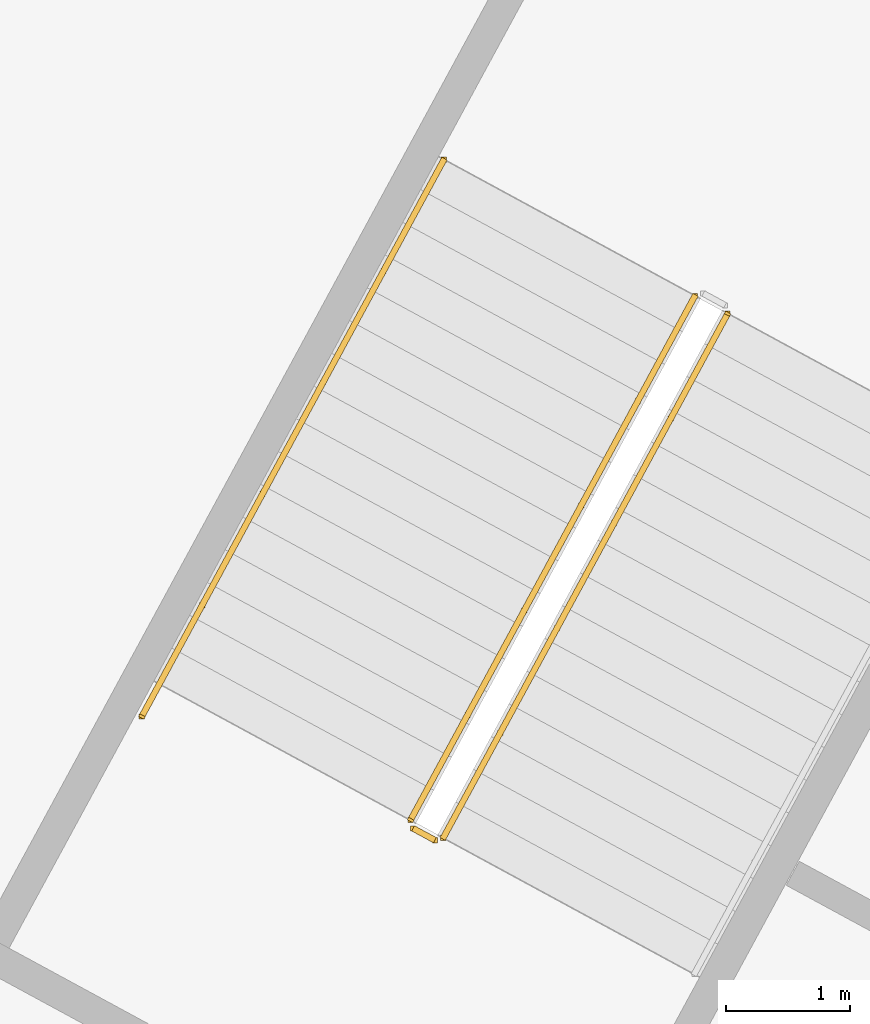
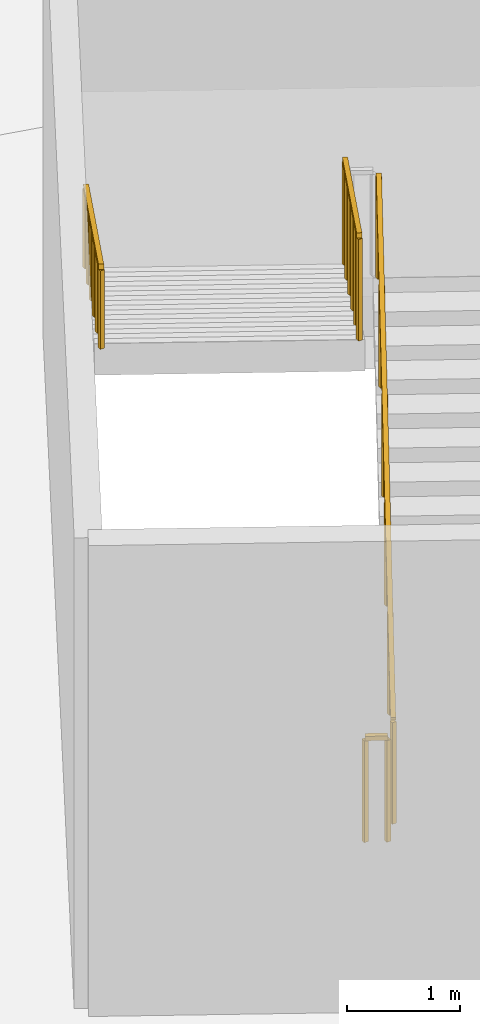
# One storey, part 71 of 82: 4 railings.
"""IFC4 building model written with IfcOpenShell, lengths in metres."""

from ifc_helpers import new_model, si_unit, direction, frame, origin, origin_2d, place, context, subcontext, project, spatial, rectangle, extrude, material, type_object, element, save


model = new_model("IFC4")

# Units and contexts
model_context = context("Model", 3, precision=1e-05, world=origin(), true_north=direction((0.0, 1.0)))
body_context = subcontext(model_context, "Body", "Model", "MODEL_VIEW")
ifc_project = project(units=[si_unit("LENGTHUNIT", "METRE"), si_unit("AREAUNIT", "SQUARE_METRE"), si_unit("VOLUMEUNIT", "CUBIC_METRE"), si_unit("PLANEANGLEUNIT", "RADIAN"), si_unit("MASSUNIT", "GRAM", prefix="KILO")], contexts=[model_context])

# Site, building, storey
site_placement = place(None, origin())
site = spatial("IfcSite", under=ifc_project, at=site_placement, CompositionType="ELEMENT")
building_placement = place(site_placement, origin())
building = spatial("IfcBuilding", under=site, at=building_placement, Name="Zlatoyarsky Gate Stadium", CompositionType="ELEMENT")
storey_placement = place(building_placement, origin())
storey = spatial("IfcBuildingStorey", under=building, at=storey_placement, Name="L00", CompositionType="ELEMENT", Elevation=0.0)

# Railings
ifc_material_1 = material(Name="Powder-coated steel stair guardrail", Category="steel")
railing_type_1 = type_object("IfcRailingType", Name="PAINTED STEEL STAIR WELL GUARDRAIL 1150", PredefinedType="GUARDRAIL", material=ifc_material_1)
railing_1_placement = place(storey_placement, frame((190.437255859375, 52.175048828125, 0.158935546875)))
element("IfcRailing", 1, at=railing_1_placement, inside=storey, type_object=railing_type_1, Name="ST-12 L00 stair guard 1", PredefinedType="GUARDRAIL", context=body_context, shape_type="SweptSolid", body=[
    extrude(rectangle(XDim=0.048095703125, YDim=0.048095703125, at=origin_2d()), frame((0.0, 0.0, 1.1259765625), z_axis=(0.421475720149, 0.776826143334, 0.467866819039), x_axis=(-0.878962478599, 0.4768909322, 0.0)), (0.0, 0.0, 1.0), 5.43115234375),
    extrude(rectangle(XDim=0.0419921875, YDim=0.0419921875, at=origin_2d()), origin(), (0.0, 0.0, 1.0), 1.101806640625),
    extrude(rectangle(XDim=0.0419921875, YDim=0.0419921875, at=origin_2d()), frame((0.457763671875, 0.84375, 0.50830078125)), (0.0, 0.0, 1.0), 1.101806640625),
    extrude(rectangle(XDim=0.0419921875, YDim=0.0419921875, at=origin_2d()), frame((0.91552734375, 1.6875, 1.016357421875)), (0.0, 0.0, 1.0), 1.101806640625),
    extrude(rectangle(XDim=0.0419921875, YDim=0.0419921875, at=origin_2d()), frame((1.37353515625, 2.531494140625, 1.524658203125)), (0.0, 0.0, 1.0), 1.101806640625),
    extrude(rectangle(XDim=0.0419921875, YDim=0.0419921875, at=origin_2d()), frame((1.831298828125, 3.375244140625, 2.03271484375)), (0.0, 0.0, 1.0), 1.101806640625),
    extrude(rectangle(XDim=0.0419921875, YDim=0.0419921875, at=origin_2d()), frame((2.2890625, 4.218994140625, 2.541015625)), (0.0, 0.0, 1.0), 1.101806640625),
])
railing_2_placement = place(storey_placement, frame((192.462646484375, 56.537109375, 2.85888671875)))
element("IfcRailing", 2, at=railing_2_placement, inside=storey, type_object=railing_type_1, Name="ST-12 L00 stair guard 3", PredefinedType="GUARDRAIL", context=body_context, shape_type="SweptSolid", body=[
    extrude(rectangle(XDim=0.048095703125, YDim=0.048095703125, at=origin_2d()), frame((0.0, 0.0, 1.1259765625), z_axis=(-0.421475720149, -0.776826143334, 0.467866819039), x_axis=(0.878962478599, -0.4768909322, 0.0)), (0.0, 0.0, 1.0), 5.43115234375),
    extrude(rectangle(XDim=0.0419921875, YDim=0.0419921875, at=origin_2d()), origin(), (0.0, 0.0, 1.0), 1.101806640625),
    extrude(rectangle(XDim=0.0419921875, YDim=0.0419921875, at=origin_2d()), frame((-0.457763671875, -0.84375, 0.50830078125)), (0.0, 0.0, 1.0), 1.101806640625),
    extrude(rectangle(XDim=0.0419921875, YDim=0.0419921875, at=origin_2d()), frame((-0.91552734375, -1.6875, 1.016357421875)), (0.0, 0.0, 1.0), 1.101806640625),
    extrude(rectangle(XDim=0.0419921875, YDim=0.0419921875, at=origin_2d()), frame((-1.37353515625, -2.531494140625, 1.524658203125)), (0.0, 0.0, 1.0), 1.101806640625),
    extrude(rectangle(XDim=0.0419921875, YDim=0.0419921875, at=origin_2d()), frame((-1.831298828125, -3.375244140625, 2.03271484375)), (0.0, 0.0, 1.0), 1.101806640625),
    extrude(rectangle(XDim=0.0419921875, YDim=0.0419921875, at=origin_2d()), frame((-2.2890625, -4.218994140625, 2.541015625)), (0.0, 0.0, 1.0), 1.101806640625),
])
railing_3_placement = place(storey_placement, frame((190.36962890625, 52.15478515625, 0.0)))
element("IfcRailing", 3, at=railing_3_placement, inside=storey, type_object=railing_type_1, Name="ST-12 L00 stair guard 4", PredefinedType="GUARDRAIL", context=body_context, shape_type="SweptSolid", body=[
    extrude(rectangle(XDim=0.048095703125, YDim=0.048095703125, at=origin_2d()), frame((0.0, 0.0, 1.1259765625), z_axis=(-0.878780312785, 0.477226530971, 0.0), x_axis=(-0.477226530971, -0.878780312785, 0.0)), (0.0, 0.0, 1.0), 0.199951171875),
    extrude(rectangle(XDim=0.0419921875, YDim=0.0419921875, at=origin_2d()), origin(), (0.0, 0.0, 1.0), 1.101806640625),
    extrude(rectangle(XDim=0.0419921875, YDim=0.0419921875, at=origin_2d()), frame((-0.17578125, 0.095458984375, 0.0)), (0.0, 0.0, 1.0), 1.101806640625),
])
ifc_material_2 = material(Name="Brushed stainless steel 316 handrail", Category="steel")
railing_type_2 = type_object("IfcRailingType", Name="STAINLESS STEEL TUBULAR HANDRAIL 900", PredefinedType="HANDRAIL", material=ifc_material_2)
railing_4_placement = place(storey_placement, frame((190.441162109375, 57.6337890625, 2.86279296875)))
element("IfcRailing", 4, at=railing_4_placement, inside=storey, type_object=railing_type_2, Name="ST-12 L00 stair handrail 2", PredefinedType="HANDRAIL", context=body_context, shape_type="SweptSolid", body=[
    extrude(rectangle(XDim=0.048095703125, YDim=0.048095703125, at=origin_2d()), frame((0.0, 0.0, 0.8759765625), z_axis=(-0.421472414376, -0.776817406179, 0.467884303411), x_axis=(0.878961798155, -0.476892186331, 0.0)), (0.0, 0.0, 1.0), 5.7705078125),
    extrude(rectangle(XDim=0.0419921875, YDim=0.0419921875, at=origin_2d()), origin(), (0.0, 0.0, 1.0), 0.851806640625),
    extrude(rectangle(XDim=0.0419921875, YDim=0.0419921875, at=origin_2d()), frame((-0.486328125, -0.896484375, 0.5400390625)), (0.0, 0.0, 1.0), 0.851806640625),
    extrude(rectangle(XDim=0.0419921875, YDim=0.0419921875, at=origin_2d()), frame((-0.972900390625, -1.79296875, 1.080078125)), (0.0, 0.0, 1.0), 0.851806640625),
    extrude(rectangle(XDim=0.0419921875, YDim=0.0419921875, at=origin_2d()), frame((-1.459228515625, -2.689697265625, 1.619873046875)), (0.0, 0.0, 1.0), 0.851806640625),
    extrude(rectangle(XDim=0.0419921875, YDim=0.0419921875, at=origin_2d()), frame((-1.94580078125, -3.586181640625, 2.159912109375)), (0.0, 0.0, 1.0), 0.851806640625),
    extrude(rectangle(XDim=0.0419921875, YDim=0.0419921875, at=origin_2d()), frame((-2.43212890625, -4.482666015625, 2.699951171875)), (0.0, 0.0, 1.0), 0.851806640625),
])

save(model, "model.ifc")
